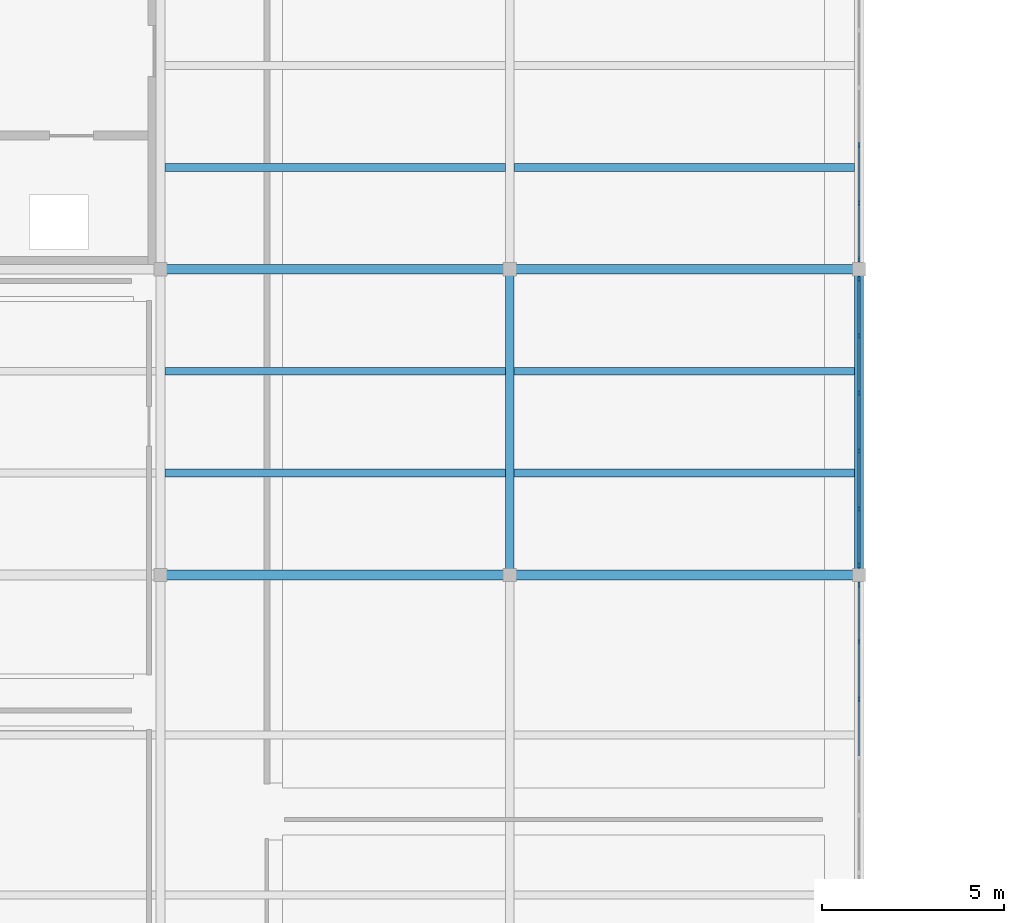
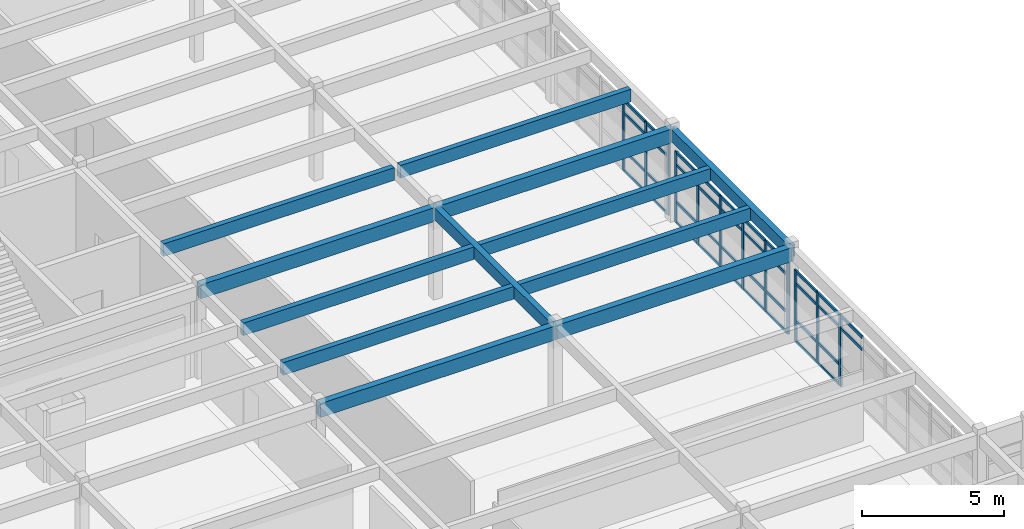
# One storey, part 12 of 61: 50 members, 12 beams, 3 elements without a shape of their own.
"""IFC4 building model written with IfcOpenShell, lengths in metres."""

from ifc_helpers import new_model, si_unit, direction, frame, origin, origin_2d, place, context, subcontext, project, spatial, rectangle, extrude, material, layer, layer_set, material_profile, profile_set, type_object, element, aggregate, save


model = new_model("IFC4")

# Units and contexts
model_context = context("Model", 3, precision=1e-05, world=origin(), true_north=direction((0.0, 1.0)))
body_context = subcontext(model_context, "Body", "Model", "MODEL_VIEW")
ifc_project = project(units=[si_unit("LENGTHUNIT", "METRE"), si_unit("AREAUNIT", "SQUARE_METRE"), si_unit("VOLUMEUNIT", "CUBIC_METRE"), si_unit("PLANEANGLEUNIT", "RADIAN"), si_unit("MASSUNIT", "GRAM", prefix="KILO")], contexts=[model_context])

# Site, building, storey
site_placement = place(None, origin())
site = spatial("IfcSite", under=ifc_project, at=site_placement, CompositionType="ELEMENT")
building_placement = place(site_placement, origin())
building = spatial("IfcBuilding", under=site, at=building_placement, Name="Kolvemor Railside Polytechnic", CompositionType="ELEMENT")
storey_placement = place(building_placement, frame((0.0, 0.0, 10.199951171875)))
storey = spatial("IfcBuildingStorey", under=building, at=storey_placement, Name="L02", CompositionType="ELEMENT", Elevation=10.199951171875)

# Beams
ifc_material_1 = material(Name="Glulam GL28h", Category="wood")
ifc_material_profile_1 = material_profile(ifc_material_1, rectangle(XDim=0.264892578125, YDim=0.60009765625, at=origin_2d()), Name="GL265x600")
ifc_profile_set_1 = profile_set([ifc_material_profile_1], Name="Glulam GL28h")
beam_type_1 = type_object("IfcBeamType", Name="BM-GL-GIRD7", PredefinedType="BEAM", material=ifc_profile_set_1)
beam_1_placement = place(storey_placement, frame((28.800048828125, 51.60009765625, 3.650146484375), z_axis=(1.0, 0.0, 0.0), x_axis=(0.0, 1.0, 0.0)))
element("IfcBeam", 1, at=beam_1_placement, inside=storey, type_object=beam_type_1, Name="Primary Girder L03-GX 1115", PredefinedType="BEAM", context=body_context, shape_type="SweptSolid", body=[
    extrude(rectangle(XDim=0.264892578125, YDim=0.60009765625, at=origin_2d()), origin(), (0.0, 0.0, 1.0), 9.599853515625),
])
beam_2_placement = place(storey_placement, frame((38.39990234375, 51.60009765625, 3.650146484375), z_axis=(1.0, 0.0, 0.0), x_axis=(0.0, 1.0, 0.0)))
element("IfcBeam", 2, at=beam_2_placement, inside=storey, type_object=beam_type_1, Name="Primary Girder L03-GX 1116", PredefinedType="BEAM", context=body_context, shape_type="SweptSolid", body=[
    extrude(rectangle(XDim=0.264892578125, YDim=0.60009765625, at=origin_2d()), origin(), (0.0, 0.0, 1.0), 9.60009765625),
])
beam_3_placement = place(storey_placement, frame((28.800048828125, 60.0, 3.650146484375), z_axis=(1.0, 0.0, 0.0), x_axis=(0.0, 1.0, 0.0)))
element("IfcBeam", 3, at=beam_3_placement, inside=storey, type_object=beam_type_1, Name="Primary Girder L03-GX 1119", PredefinedType="BEAM", context=body_context, shape_type="SweptSolid", body=[
    extrude(rectangle(XDim=0.264892578125, YDim=0.60009765625, at=origin_2d()), origin(), (0.0, 0.0, 1.0), 9.599853515625),
])
beam_4_placement = place(storey_placement, frame((38.39990234375, 60.0, 3.650146484375), z_axis=(1.0, 0.0, 0.0), x_axis=(0.0, 1.0, 0.0)))
element("IfcBeam", 4, at=beam_4_placement, inside=storey, type_object=beam_type_1, Name="Primary Girder L03-GX 1120", PredefinedType="BEAM", context=body_context, shape_type="SweptSolid", body=[
    extrude(rectangle(XDim=0.264892578125, YDim=0.60009765625, at=origin_2d()), origin(), (0.0, 0.0, 1.0), 9.60009765625),
])
ifc_material_2 = material(Name="Glulam GL28h", Category="wood")
ifc_material_profile_2 = material_profile(ifc_material_2, rectangle(XDim=0.239990234375, YDim=0.52001953125, at=origin_2d()), Name="GL240x520")
ifc_profile_set_2 = profile_set([ifc_material_profile_2], Name="Glulam GL28h")
beam_type_2 = type_object("IfcBeamType", Name="BM-GL-GIRD8", PredefinedType="BEAM", material=ifc_profile_set_2)
for number, where, z_axis, x_axis, name in (
    (5, (38.39990234375, 51.60009765625, 3.68994140625), (0.0, 1.0, 0.0), (-1.0, 0.0, 0.0), "Primary Girder L03-GY 1154"),
    (6, (48.0, 51.60009765625, 3.68994140625), (0.0, 1.0, 0.0), (-1.0, 0.0, 0.0), "Primary Girder L03-GY 1161"),
):
    element("IfcBeam", number, at=place(storey_placement, frame(where, z_axis=z_axis, x_axis=x_axis)), inside=storey, type_object=beam_type_2, Name=name, PredefinedType="BEAM", context=body_context, shape_type="SweptSolid", body=[
        extrude(rectangle(XDim=0.239990234375, YDim=0.52001953125, at=origin_2d()), origin(), (0.0, 0.0, 1.0), 8.39990234375),
    ])
ifc_material_3 = material(Name="Glulam GL28h", Category="wood")
ifc_material_profile_3 = material_profile(ifc_material_3, rectangle(XDim=0.215087890625, YDim=0.5400390625, at=origin_2d()), Name="GL215x540")
ifc_profile_set_3 = profile_set([ifc_material_profile_3], Name="Glulam GL28h")
beam_type_3 = type_object("IfcBeamType", Name="BM-GL-JST1", PredefinedType="JOIST", material=ifc_profile_set_3)
for number, where, z_axis, x_axis, name in (
    (7, (28.919921875, 54.39990234375, 3.679931640625), (1.0, 0.0, 0.0), (0.0, 1.0, 0.0), "Floor Joist L03-J1196"),
    (8, (28.919921875, 57.199951171875, 3.679931640625), (1.0, 0.0, 0.0), (0.0, 1.0, 0.0), "Floor Joist L03-J1197"),
    (9, (28.919921875, 62.800048828125, 3.679931640625), (1.0, 0.0, 0.0), (0.0, 1.0, 0.0), "Floor Joist L03-J1198"),
):
    element("IfcBeam", number, at=place(storey_placement, frame(where, z_axis=z_axis, x_axis=x_axis)), inside=storey, type_object=beam_type_3, Name=name, PredefinedType="JOIST", context=body_context, shape_type="SweptSolid", body=[
        extrude(rectangle(XDim=0.215087890625, YDim=0.5400390625, at=origin_2d()), origin(), (0.0, 0.0, 1.0), 9.360107421875),
    ])
for number, where, z_axis, x_axis, name in (
    (10, (38.52001953125, 54.39990234375, 3.679931640625), (1.0, 0.0, 0.0), (0.0, 1.0, 0.0), "Floor Joist L03-J1210"),
    (11, (38.52001953125, 57.199951171875, 3.679931640625), (1.0, 0.0, 0.0), (0.0, 1.0, 0.0), "Floor Joist L03-J1211"),
    (12, (38.52001953125, 62.800048828125, 3.679931640625), (1.0, 0.0, 0.0), (0.0, 1.0, 0.0), "Floor Joist L03-J1212"),
):
    element("IfcBeam", number, at=place(storey_placement, frame(where, z_axis=z_axis, x_axis=x_axis)), inside=storey, type_object=beam_type_3, Name=name, PredefinedType="JOIST", context=body_context, shape_type="SweptSolid", body=[
        extrude(rectangle(XDim=0.215087890625, YDim=0.5400390625, at=origin_2d()), origin(), (0.0, 0.0, 1.0), 9.35986328125),
    ])

# Curtain wall, members
ifc_material_4 = material(Name="Anodised marine aluminium and laminated low-E glass", Category="aluminium")
ifc_layer = layer(ifc_material_4, 0.179931640625, Name="CW-UNIT-STD")
ifc_layer_set = layer_set([ifc_layer], Name="Anodised marine aluminium and laminated low-E glass")
curtain_wall_type = type_object("IfcCurtainWallType", Name="CW-UNIT-STD", PredefinedType="USERDEFINED", material=ifc_layer_set)
curtain_wall_1_placement = place(storey_placement, origin())
curtain_wall_1 = element("IfcCurtainWall", 13, at=curtain_wall_1_placement, inside=storey, type_object=curtain_wall_type, Name="Curtain Wall L02-057", ObjectType="UNITISED CURTAIN WALL", PredefinedType="USERDEFINED")
ifc_material_5 = material(Name="Anodised marine aluminium 6063-T6", Category="aluminium")
ifc_material_profile_4 = material_profile(ifc_material_5, rectangle(XDim=0.06494140625, YDim=0.14990234375, at=origin_2d()), Name="CW-MUL-65x150")
ifc_profile_set_4 = profile_set([ifc_material_profile_4], Name="Anodised marine aluminium 6063-T6")
member_type_1 = type_object("IfcMemberType", Name="CWM-65x150", PredefinedType="MULLION", material=ifc_profile_set_4)
member_1_placement = place(storey_placement, frame((48.0, 48.179931640625, 0.0), z_axis=(0.0, 0.0, 1.0), x_axis=(-1.0, 0.0, 0.0)))
member_1 = element("IfcMember", 14, at=member_1_placement, type_object=member_type_1, Name="CW-STD mullion 7", PredefinedType="MULLION", context=body_context, shape_type="SweptSolid", body=[
    extrude(rectangle(XDim=0.06494140625, YDim=0.14990234375, at=origin_2d()), origin(), (0.0, 0.0, 1.0), 3.050048828125),
])
member_2_placement = place(storey_placement, frame((48.0, 49.77001953125, 0.0), z_axis=(0.0, 0.0, 1.0), x_axis=(-1.0, 0.0, 0.0)))
member_2 = element("IfcMember", 15, at=member_2_placement, type_object=member_type_1, Name="CW-STD mullion 8", PredefinedType="MULLION", context=body_context, shape_type="SweptSolid", body=[
    extrude(rectangle(XDim=0.06494140625, YDim=0.14990234375, at=origin_2d()), origin(), (0.0, 0.0, 1.0), 3.050048828125),
])
member_3_placement = place(storey_placement, frame((48.0, 51.327392578125, 0.0), z_axis=(0.0, 0.0, 1.0), x_axis=(-1.0, 0.0, 0.0)))
member_3 = element("IfcMember", 16, at=member_3_placement, type_object=member_type_1, Name="CW-STD mullion 9", PredefinedType="MULLION", context=body_context, shape_type="SweptSolid", body=[
    extrude(rectangle(XDim=0.06494140625, YDim=0.14990234375, at=origin_2d()), origin(), (0.0, 0.0, 1.0), 3.050048828125),
])

curtain_wall_2_placement = place(storey_placement, origin())
curtain_wall_2 = element("IfcCurtainWall", 17, at=curtain_wall_2_placement, inside=storey, type_object=curtain_wall_type, Name="Curtain Wall L02-067", ObjectType="UNITISED CURTAIN WALL", PredefinedType="USERDEFINED")
member_4_placement = place(storey_placement, frame((48.0, 51.87255859375, 0.0), z_axis=(0.0, 0.0, 1.0), x_axis=(-1.0, 0.0, 0.0)))
member_4 = element("IfcMember", 18, at=member_4_placement, type_object=member_type_1, Name="CW-STD mullion 1", PredefinedType="MULLION", context=body_context, shape_type="SweptSolid", body=[
    extrude(rectangle(XDim=0.06494140625, YDim=0.14990234375, at=origin_2d()), origin(), (0.0, 0.0, 1.0), 3.050048828125),
])
member_5_placement = place(storey_placement, frame((48.0, 53.424072265625, 0.0), z_axis=(0.0, 0.0, 1.0), x_axis=(-1.0, 0.0, 0.0)))
member_5 = element("IfcMember", 19, at=member_5_placement, type_object=member_type_1, Name="CW-STD mullion 2", PredefinedType="MULLION", context=body_context, shape_type="SweptSolid", body=[
    extrude(rectangle(XDim=0.06494140625, YDim=0.14990234375, at=origin_2d()), origin(), (0.0, 0.0, 1.0), 3.050048828125),
])
member_6_placement = place(storey_placement, frame((48.0, 55.008056640625, 0.0), z_axis=(0.0, 0.0, 1.0), x_axis=(-1.0, 0.0, 0.0)))
member_6 = element("IfcMember", 20, at=member_6_placement, type_object=member_type_1, Name="CW-STD mullion 3", PredefinedType="MULLION", context=body_context, shape_type="SweptSolid", body=[
    extrude(rectangle(XDim=0.06494140625, YDim=0.14990234375, at=origin_2d()), origin(), (0.0, 0.0, 1.0), 3.050048828125),
])
member_7_placement = place(storey_placement, frame((48.0, 56.592041015625, 0.0), z_axis=(0.0, 0.0, 1.0), x_axis=(-1.0, 0.0, 0.0)))
member_7 = element("IfcMember", 21, at=member_7_placement, type_object=member_type_1, Name="CW-STD mullion 4", PredefinedType="MULLION", context=body_context, shape_type="SweptSolid", body=[
    extrude(rectangle(XDim=0.06494140625, YDim=0.14990234375, at=origin_2d()), origin(), (0.0, 0.0, 1.0), 3.050048828125),
])
member_8_placement = place(storey_placement, frame((48.0, 58.176025390625, 0.0), z_axis=(0.0, 0.0, 1.0), x_axis=(-1.0, 0.0, 0.0)))
member_8 = element("IfcMember", 22, at=member_8_placement, type_object=member_type_1, Name="CW-STD mullion 5", PredefinedType="MULLION", context=body_context, shape_type="SweptSolid", body=[
    extrude(rectangle(XDim=0.06494140625, YDim=0.14990234375, at=origin_2d()), origin(), (0.0, 0.0, 1.0), 3.050048828125),
])
member_9_placement = place(storey_placement, frame((48.0, 59.7275390625, 0.0), z_axis=(0.0, 0.0, 1.0), x_axis=(-1.0, 0.0, 0.0)))
member_9 = element("IfcMember", 23, at=member_9_placement, type_object=member_type_1, Name="CW-STD mullion 6", PredefinedType="MULLION", context=body_context, shape_type="SweptSolid", body=[
    extrude(rectangle(XDim=0.06494140625, YDim=0.14990234375, at=origin_2d()), origin(), (0.0, 0.0, 1.0), 3.050048828125),
])

curtain_wall_3_placement = place(storey_placement, origin())
curtain_wall_3 = element("IfcCurtainWall", 24, at=curtain_wall_3_placement, inside=storey, type_object=curtain_wall_type, Name="Curtain Wall L02-077", ObjectType="UNITISED CURTAIN WALL", PredefinedType="USERDEFINED")
member_10_placement = place(storey_placement, frame((48.0, 60.2724609375, 0.0), z_axis=(0.0, 0.0, 1.0), x_axis=(-1.0, 0.0, 0.0)))
member_10 = element("IfcMember", 25, at=member_10_placement, type_object=member_type_1, Name="CW-STD mullion 1", PredefinedType="MULLION", context=body_context, shape_type="SweptSolid", body=[
    extrude(rectangle(XDim=0.06494140625, YDim=0.14990234375, at=origin_2d()), origin(), (0.0, 0.0, 1.0), 3.050048828125),
])
member_11_placement = place(storey_placement, frame((48.0, 61.823974609375, 0.0), z_axis=(0.0, 0.0, 1.0), x_axis=(-1.0, 0.0, 0.0)))
member_11 = element("IfcMember", 26, at=member_11_placement, type_object=member_type_1, Name="CW-STD mullion 2", PredefinedType="MULLION", context=body_context, shape_type="SweptSolid", body=[
    extrude(rectangle(XDim=0.06494140625, YDim=0.14990234375, at=origin_2d()), origin(), (0.0, 0.0, 1.0), 3.050048828125),
])
member_12_placement = place(storey_placement, frame((48.0, 63.407958984375, 0.0), z_axis=(0.0, 0.0, 1.0), x_axis=(-1.0, 0.0, 0.0)))
member_12 = element("IfcMember", 27, at=member_12_placement, type_object=member_type_1, Name="CW-STD mullion 3", PredefinedType="MULLION", context=body_context, shape_type="SweptSolid", body=[
    extrude(rectangle(XDim=0.06494140625, YDim=0.14990234375, at=origin_2d()), origin(), (0.0, 0.0, 1.0), 3.050048828125),
])

# Member
ifc_material_6 = material(Name="Anodised marine aluminium 6063-T6", Category="aluminium")
ifc_material_profile_5 = material_profile(ifc_material_6, rectangle(XDim=0.06494140625, YDim=0.1201171875, at=origin_2d()), Name="CW-TRN-65x120")
ifc_profile_set_5 = profile_set([ifc_material_profile_5], Name="Anodised marine aluminium 6063-T6")
member_type_2 = type_object("IfcMemberType", Name="CWT-65x120", PredefinedType="USERDEFINED", material=ifc_profile_set_5)
member_13_placement = place(storey_placement, frame((48.0, 46.62255859375, 2.5), z_axis=(0.0, 1.0, 0.0), x_axis=(-1.0, 0.0, 0.0)))
member_13 = element("IfcMember", 28, at=member_13_placement, type_object=member_type_2, Name="CW-STD transom 6.3", ObjectType="TRANSOM", PredefinedType="USERDEFINED", context=body_context, shape_type="SweptSolid", body=[
    extrude(rectangle(XDim=0.06494140625, YDim=0.1201171875, at=origin_2d()), origin(), (0.0, 0.0, 1.0), 1.52490234375),
])

member_14_placement = place(storey_placement, frame((48.0, 46.62255859375, 3.017578125), z_axis=(0.0, 1.0, 0.0), x_axis=(-1.0, 0.0, 0.0)))
member_14 = element("IfcMember", 29, at=member_14_placement, type_object=member_type_2, Name="CW-STD transom 6.4", ObjectType="TRANSOM", PredefinedType="USERDEFINED", context=body_context, shape_type="SweptSolid", body=[
    extrude(rectangle(XDim=0.06494140625, YDim=0.1201171875, at=origin_2d()), origin(), (0.0, 0.0, 1.0), 1.52490234375),
])

member_15_placement = place(storey_placement, frame((48.0, 48.21240234375, 0.032470703125), z_axis=(0.0, 1.0, 0.0), x_axis=(-1.0, 0.0, 0.0)))
member_15 = element("IfcMember", 30, at=member_15_placement, type_object=member_type_2, Name="CW-STD transom 7.1", ObjectType="TRANSOM", PredefinedType="USERDEFINED", context=body_context, shape_type="SweptSolid", body=[
    extrude(rectangle(XDim=0.06494140625, YDim=0.1201171875, at=origin_2d()), origin(), (0.0, 0.0, 1.0), 1.525146484375),
])

member_16_placement = place(storey_placement, frame((48.0, 48.21240234375, 0.900146484375), z_axis=(0.0, 1.0, 0.0), x_axis=(-1.0, 0.0, 0.0)))
member_16 = element("IfcMember", 31, at=member_16_placement, type_object=member_type_2, Name="CW-STD transom 7.2", ObjectType="TRANSOM", PredefinedType="USERDEFINED", context=body_context, shape_type="SweptSolid", body=[
    extrude(rectangle(XDim=0.06494140625, YDim=0.1201171875, at=origin_2d()), origin(), (0.0, 0.0, 1.0), 1.525146484375),
])

member_17_placement = place(storey_placement, frame((48.0, 48.21240234375, 2.5), z_axis=(0.0, 1.0, 0.0), x_axis=(-1.0, 0.0, 0.0)))
member_17 = element("IfcMember", 32, at=member_17_placement, type_object=member_type_2, Name="CW-STD transom 7.3", ObjectType="TRANSOM", PredefinedType="USERDEFINED", context=body_context, shape_type="SweptSolid", body=[
    extrude(rectangle(XDim=0.06494140625, YDim=0.1201171875, at=origin_2d()), origin(), (0.0, 0.0, 1.0), 1.525146484375),
])

member_18_placement = place(storey_placement, frame((48.0, 48.21240234375, 3.017578125), z_axis=(0.0, 1.0, 0.0), x_axis=(-1.0, 0.0, 0.0)))
member_18 = element("IfcMember", 33, at=member_18_placement, type_object=member_type_2, Name="CW-STD transom 7.4", ObjectType="TRANSOM", PredefinedType="USERDEFINED", context=body_context, shape_type="SweptSolid", body=[
    extrude(rectangle(XDim=0.06494140625, YDim=0.1201171875, at=origin_2d()), origin(), (0.0, 0.0, 1.0), 1.525146484375),
])

member_19_placement = place(storey_placement, frame((48.0, 49.802490234375, 0.032470703125), z_axis=(0.0, 1.0, 0.0), x_axis=(-1.0, 0.0, 0.0)))
member_19 = element("IfcMember", 34, at=member_19_placement, type_object=member_type_2, Name="CW-STD transom 8.1", ObjectType="TRANSOM", PredefinedType="USERDEFINED", context=body_context, shape_type="SweptSolid", body=[
    extrude(rectangle(XDim=0.06494140625, YDim=0.1201171875, at=origin_2d()), origin(), (0.0, 0.0, 1.0), 1.492431640625),
])

member_20_placement = place(storey_placement, frame((48.0, 49.802490234375, 0.900146484375), z_axis=(0.0, 1.0, 0.0), x_axis=(-1.0, 0.0, 0.0)))
member_20 = element("IfcMember", 35, at=member_20_placement, type_object=member_type_2, Name="CW-STD transom 8.2", ObjectType="TRANSOM", PredefinedType="USERDEFINED", context=body_context, shape_type="SweptSolid", body=[
    extrude(rectangle(XDim=0.06494140625, YDim=0.1201171875, at=origin_2d()), origin(), (0.0, 0.0, 1.0), 1.492431640625),
])

member_21_placement = place(storey_placement, frame((48.0, 49.802490234375, 2.5), z_axis=(0.0, 1.0, 0.0), x_axis=(-1.0, 0.0, 0.0)))
member_21 = element("IfcMember", 36, at=member_21_placement, type_object=member_type_2, Name="CW-STD transom 8.3", ObjectType="TRANSOM", PredefinedType="USERDEFINED", context=body_context, shape_type="SweptSolid", body=[
    extrude(rectangle(XDim=0.06494140625, YDim=0.1201171875, at=origin_2d()), origin(), (0.0, 0.0, 1.0), 1.492431640625),
])

member_22_placement = place(storey_placement, frame((48.0, 49.802490234375, 3.017578125), z_axis=(0.0, 1.0, 0.0), x_axis=(-1.0, 0.0, 0.0)))
member_22 = element("IfcMember", 37, at=member_22_placement, type_object=member_type_2, Name="CW-STD transom 8.4", ObjectType="TRANSOM", PredefinedType="USERDEFINED", context=body_context, shape_type="SweptSolid", body=[
    extrude(rectangle(XDim=0.06494140625, YDim=0.1201171875, at=origin_2d()), origin(), (0.0, 0.0, 1.0), 1.492431640625),
])

aggregate(curtain_wall_1, [member_1, member_2, member_3, member_13, member_14, member_15, member_16, member_17, member_18, member_19, member_20, member_21, member_22])

member_23_placement = place(storey_placement, frame((48.0, 51.905029296875, 0.032470703125), z_axis=(0.0, 1.0, 0.0), x_axis=(-1.0, 0.0, 0.0)))
member_23 = element("IfcMember", 38, at=member_23_placement, type_object=member_type_2, Name="CW-STD transom 1.1", ObjectType="TRANSOM", PredefinedType="USERDEFINED", context=body_context, shape_type="SweptSolid", body=[
    extrude(rectangle(XDim=0.06494140625, YDim=0.1201171875, at=origin_2d()), origin(), (0.0, 0.0, 1.0), 1.486572265625),
])

member_24_placement = place(storey_placement, frame((48.0, 51.905029296875, 0.900146484375), z_axis=(0.0, 1.0, 0.0), x_axis=(-1.0, 0.0, 0.0)))
member_24 = element("IfcMember", 39, at=member_24_placement, type_object=member_type_2, Name="CW-STD transom 1.2", ObjectType="TRANSOM", PredefinedType="USERDEFINED", context=body_context, shape_type="SweptSolid", body=[
    extrude(rectangle(XDim=0.06494140625, YDim=0.1201171875, at=origin_2d()), origin(), (0.0, 0.0, 1.0), 1.486572265625),
])

member_25_placement = place(storey_placement, frame((48.0, 51.905029296875, 2.5), z_axis=(0.0, 1.0, 0.0), x_axis=(-1.0, 0.0, 0.0)))
member_25 = element("IfcMember", 40, at=member_25_placement, type_object=member_type_2, Name="CW-STD transom 1.3", ObjectType="TRANSOM", PredefinedType="USERDEFINED", context=body_context, shape_type="SweptSolid", body=[
    extrude(rectangle(XDim=0.06494140625, YDim=0.1201171875, at=origin_2d()), origin(), (0.0, 0.0, 1.0), 1.486572265625),
])

member_26_placement = place(storey_placement, frame((48.0, 51.905029296875, 3.017578125), z_axis=(0.0, 1.0, 0.0), x_axis=(-1.0, 0.0, 0.0)))
member_26 = element("IfcMember", 41, at=member_26_placement, type_object=member_type_2, Name="CW-STD transom 1.4", ObjectType="TRANSOM", PredefinedType="USERDEFINED", context=body_context, shape_type="SweptSolid", body=[
    extrude(rectangle(XDim=0.06494140625, YDim=0.1201171875, at=origin_2d()), origin(), (0.0, 0.0, 1.0), 1.486572265625),
])

member_27_placement = place(storey_placement, frame((48.0, 53.45654296875, 0.032470703125), z_axis=(0.0, 1.0, 0.0), x_axis=(-1.0, 0.0, 0.0)))
member_27 = element("IfcMember", 42, at=member_27_placement, type_object=member_type_2, Name="CW-STD transom 2.1", ObjectType="TRANSOM", PredefinedType="USERDEFINED", context=body_context, shape_type="SweptSolid", body=[
    extrude(rectangle(XDim=0.06494140625, YDim=0.1201171875, at=origin_2d()), origin(), (0.0, 0.0, 1.0), 1.51904296875),
])

member_28_placement = place(storey_placement, frame((48.0, 53.45654296875, 0.900146484375), z_axis=(0.0, 1.0, 0.0), x_axis=(-1.0, 0.0, 0.0)))
member_28 = element("IfcMember", 43, at=member_28_placement, type_object=member_type_2, Name="CW-STD transom 2.2", ObjectType="TRANSOM", PredefinedType="USERDEFINED", context=body_context, shape_type="SweptSolid", body=[
    extrude(rectangle(XDim=0.06494140625, YDim=0.1201171875, at=origin_2d()), origin(), (0.0, 0.0, 1.0), 1.51904296875),
])

member_29_placement = place(storey_placement, frame((48.0, 53.45654296875, 2.5), z_axis=(0.0, 1.0, 0.0), x_axis=(-1.0, 0.0, 0.0)))
member_29 = element("IfcMember", 44, at=member_29_placement, type_object=member_type_2, Name="CW-STD transom 2.3", ObjectType="TRANSOM", PredefinedType="USERDEFINED", context=body_context, shape_type="SweptSolid", body=[
    extrude(rectangle(XDim=0.06494140625, YDim=0.1201171875, at=origin_2d()), origin(), (0.0, 0.0, 1.0), 1.51904296875),
])

member_30_placement = place(storey_placement, frame((48.0, 53.45654296875, 3.017578125), z_axis=(0.0, 1.0, 0.0), x_axis=(-1.0, 0.0, 0.0)))
member_30 = element("IfcMember", 45, at=member_30_placement, type_object=member_type_2, Name="CW-STD transom 2.4", ObjectType="TRANSOM", PredefinedType="USERDEFINED", context=body_context, shape_type="SweptSolid", body=[
    extrude(rectangle(XDim=0.06494140625, YDim=0.1201171875, at=origin_2d()), origin(), (0.0, 0.0, 1.0), 1.51904296875),
])

member_31_placement = place(storey_placement, frame((48.0, 55.04052734375, 0.032470703125), z_axis=(0.0, 1.0, 0.0), x_axis=(-1.0, 0.0, 0.0)))
member_31 = element("IfcMember", 46, at=member_31_placement, type_object=member_type_2, Name="CW-STD transom 3.1", ObjectType="TRANSOM", PredefinedType="USERDEFINED", context=body_context, shape_type="SweptSolid", body=[
    extrude(rectangle(XDim=0.06494140625, YDim=0.1201171875, at=origin_2d()), origin(), (0.0, 0.0, 1.0), 1.51904296875),
])

member_32_placement = place(storey_placement, frame((48.0, 55.04052734375, 0.900146484375), z_axis=(0.0, 1.0, 0.0), x_axis=(-1.0, 0.0, 0.0)))
member_32 = element("IfcMember", 47, at=member_32_placement, type_object=member_type_2, Name="CW-STD transom 3.2", ObjectType="TRANSOM", PredefinedType="USERDEFINED", context=body_context, shape_type="SweptSolid", body=[
    extrude(rectangle(XDim=0.06494140625, YDim=0.1201171875, at=origin_2d()), origin(), (0.0, 0.0, 1.0), 1.51904296875),
])

member_33_placement = place(storey_placement, frame((48.0, 55.04052734375, 2.5), z_axis=(0.0, 1.0, 0.0), x_axis=(-1.0, 0.0, 0.0)))
member_33 = element("IfcMember", 48, at=member_33_placement, type_object=member_type_2, Name="CW-STD transom 3.3", ObjectType="TRANSOM", PredefinedType="USERDEFINED", context=body_context, shape_type="SweptSolid", body=[
    extrude(rectangle(XDim=0.06494140625, YDim=0.1201171875, at=origin_2d()), origin(), (0.0, 0.0, 1.0), 1.51904296875),
])

member_34_placement = place(storey_placement, frame((48.0, 55.04052734375, 3.017578125), z_axis=(0.0, 1.0, 0.0), x_axis=(-1.0, 0.0, 0.0)))
member_34 = element("IfcMember", 49, at=member_34_placement, type_object=member_type_2, Name="CW-STD transom 3.4", ObjectType="TRANSOM", PredefinedType="USERDEFINED", context=body_context, shape_type="SweptSolid", body=[
    extrude(rectangle(XDim=0.06494140625, YDim=0.1201171875, at=origin_2d()), origin(), (0.0, 0.0, 1.0), 1.51904296875),
])

member_35_placement = place(storey_placement, frame((48.0, 56.62451171875, 0.032470703125), z_axis=(0.0, 1.0, 0.0), x_axis=(-1.0, 0.0, 0.0)))
member_35 = element("IfcMember", 50, at=member_35_placement, type_object=member_type_2, Name="CW-STD transom 4.1", ObjectType="TRANSOM", PredefinedType="USERDEFINED", context=body_context, shape_type="SweptSolid", body=[
    extrude(rectangle(XDim=0.06494140625, YDim=0.1201171875, at=origin_2d()), origin(), (0.0, 0.0, 1.0), 1.51904296875),
])

member_36_placement = place(storey_placement, frame((48.0, 56.62451171875, 0.900146484375), z_axis=(0.0, 1.0, 0.0), x_axis=(-1.0, 0.0, 0.0)))
member_36 = element("IfcMember", 51, at=member_36_placement, type_object=member_type_2, Name="CW-STD transom 4.2", ObjectType="TRANSOM", PredefinedType="USERDEFINED", context=body_context, shape_type="SweptSolid", body=[
    extrude(rectangle(XDim=0.06494140625, YDim=0.1201171875, at=origin_2d()), origin(), (0.0, 0.0, 1.0), 1.51904296875),
])

member_37_placement = place(storey_placement, frame((48.0, 56.62451171875, 2.5), z_axis=(0.0, 1.0, 0.0), x_axis=(-1.0, 0.0, 0.0)))
member_37 = element("IfcMember", 52, at=member_37_placement, type_object=member_type_2, Name="CW-STD transom 4.3", ObjectType="TRANSOM", PredefinedType="USERDEFINED", context=body_context, shape_type="SweptSolid", body=[
    extrude(rectangle(XDim=0.06494140625, YDim=0.1201171875, at=origin_2d()), origin(), (0.0, 0.0, 1.0), 1.51904296875),
])

member_38_placement = place(storey_placement, frame((48.0, 56.62451171875, 3.017578125), z_axis=(0.0, 1.0, 0.0), x_axis=(-1.0, 0.0, 0.0)))
member_38 = element("IfcMember", 53, at=member_38_placement, type_object=member_type_2, Name="CW-STD transom 4.4", ObjectType="TRANSOM", PredefinedType="USERDEFINED", context=body_context, shape_type="SweptSolid", body=[
    extrude(rectangle(XDim=0.06494140625, YDim=0.1201171875, at=origin_2d()), origin(), (0.0, 0.0, 1.0), 1.51904296875),
])

member_39_placement = place(storey_placement, frame((48.0, 58.20849609375, 0.032470703125), z_axis=(0.0, 1.0, 0.0), x_axis=(-1.0, 0.0, 0.0)))
member_39 = element("IfcMember", 54, at=member_39_placement, type_object=member_type_2, Name="CW-STD transom 5.1", ObjectType="TRANSOM", PredefinedType="USERDEFINED", context=body_context, shape_type="SweptSolid", body=[
    extrude(rectangle(XDim=0.06494140625, YDim=0.1201171875, at=origin_2d()), origin(), (0.0, 0.0, 1.0), 1.486572265625),
])

member_40_placement = place(storey_placement, frame((48.0, 58.20849609375, 0.900146484375), z_axis=(0.0, 1.0, 0.0), x_axis=(-1.0, 0.0, 0.0)))
member_40 = element("IfcMember", 55, at=member_40_placement, type_object=member_type_2, Name="CW-STD transom 5.2", ObjectType="TRANSOM", PredefinedType="USERDEFINED", context=body_context, shape_type="SweptSolid", body=[
    extrude(rectangle(XDim=0.06494140625, YDim=0.1201171875, at=origin_2d()), origin(), (0.0, 0.0, 1.0), 1.486572265625),
])

member_41_placement = place(storey_placement, frame((48.0, 58.20849609375, 2.5), z_axis=(0.0, 1.0, 0.0), x_axis=(-1.0, 0.0, 0.0)))
member_41 = element("IfcMember", 56, at=member_41_placement, type_object=member_type_2, Name="CW-STD transom 5.3", ObjectType="TRANSOM", PredefinedType="USERDEFINED", context=body_context, shape_type="SweptSolid", body=[
    extrude(rectangle(XDim=0.06494140625, YDim=0.1201171875, at=origin_2d()), origin(), (0.0, 0.0, 1.0), 1.486572265625),
])

member_42_placement = place(storey_placement, frame((48.0, 58.20849609375, 3.017578125), z_axis=(0.0, 1.0, 0.0), x_axis=(-1.0, 0.0, 0.0)))
member_42 = element("IfcMember", 57, at=member_42_placement, type_object=member_type_2, Name="CW-STD transom 5.4", ObjectType="TRANSOM", PredefinedType="USERDEFINED", context=body_context, shape_type="SweptSolid", body=[
    extrude(rectangle(XDim=0.06494140625, YDim=0.1201171875, at=origin_2d()), origin(), (0.0, 0.0, 1.0), 1.486572265625),
])

aggregate(curtain_wall_2, [member_4, member_5, member_6, member_7, member_8, member_9, member_23, member_24, member_25, member_26, member_27, member_28, member_29, member_30, member_31, member_32, member_33, member_34, member_35, member_36, member_37, member_38, member_39, member_40, member_41, member_42])

member_43_placement = place(storey_placement, frame((48.0, 60.304931640625, 0.032470703125), z_axis=(0.0, 1.0, 0.0), x_axis=(-1.0, 0.0, 0.0)))
member_43 = element("IfcMember", 58, at=member_43_placement, type_object=member_type_2, Name="CW-STD transom 1.1", ObjectType="TRANSOM", PredefinedType="USERDEFINED", context=body_context, shape_type="SweptSolid", body=[
    extrude(rectangle(XDim=0.06494140625, YDim=0.1201171875, at=origin_2d()), origin(), (0.0, 0.0, 1.0), 1.486572265625),
])

member_44_placement = place(storey_placement, frame((48.0, 60.304931640625, 0.900146484375), z_axis=(0.0, 1.0, 0.0), x_axis=(-1.0, 0.0, 0.0)))
member_44 = element("IfcMember", 59, at=member_44_placement, type_object=member_type_2, Name="CW-STD transom 1.2", ObjectType="TRANSOM", PredefinedType="USERDEFINED", context=body_context, shape_type="SweptSolid", body=[
    extrude(rectangle(XDim=0.06494140625, YDim=0.1201171875, at=origin_2d()), origin(), (0.0, 0.0, 1.0), 1.486572265625),
])

member_45_placement = place(storey_placement, frame((48.0, 60.304931640625, 2.5), z_axis=(0.0, 1.0, 0.0), x_axis=(-1.0, 0.0, 0.0)))
member_45 = element("IfcMember", 60, at=member_45_placement, type_object=member_type_2, Name="CW-STD transom 1.3", ObjectType="TRANSOM", PredefinedType="USERDEFINED", context=body_context, shape_type="SweptSolid", body=[
    extrude(rectangle(XDim=0.06494140625, YDim=0.1201171875, at=origin_2d()), origin(), (0.0, 0.0, 1.0), 1.486572265625),
])

member_46_placement = place(storey_placement, frame((48.0, 60.304931640625, 3.017578125), z_axis=(0.0, 1.0, 0.0), x_axis=(-1.0, 0.0, 0.0)))
member_46 = element("IfcMember", 61, at=member_46_placement, type_object=member_type_2, Name="CW-STD transom 1.4", ObjectType="TRANSOM", PredefinedType="USERDEFINED", context=body_context, shape_type="SweptSolid", body=[
    extrude(rectangle(XDim=0.06494140625, YDim=0.1201171875, at=origin_2d()), origin(), (0.0, 0.0, 1.0), 1.486572265625),
])

member_47_placement = place(storey_placement, frame((48.0, 61.8564453125, 0.032470703125), z_axis=(0.0, 1.0, 0.0), x_axis=(-1.0, 0.0, 0.0)))
member_47 = element("IfcMember", 62, at=member_47_placement, type_object=member_type_2, Name="CW-STD transom 2.1", ObjectType="TRANSOM", PredefinedType="USERDEFINED", context=body_context, shape_type="SweptSolid", body=[
    extrude(rectangle(XDim=0.06494140625, YDim=0.1201171875, at=origin_2d()), origin(), (0.0, 0.0, 1.0), 1.51904296875),
])

member_48_placement = place(storey_placement, frame((48.0, 61.8564453125, 0.900146484375), z_axis=(0.0, 1.0, 0.0), x_axis=(-1.0, 0.0, 0.0)))
member_48 = element("IfcMember", 63, at=member_48_placement, type_object=member_type_2, Name="CW-STD transom 2.2", ObjectType="TRANSOM", PredefinedType="USERDEFINED", context=body_context, shape_type="SweptSolid", body=[
    extrude(rectangle(XDim=0.06494140625, YDim=0.1201171875, at=origin_2d()), origin(), (0.0, 0.0, 1.0), 1.51904296875),
])

member_49_placement = place(storey_placement, frame((48.0, 61.8564453125, 2.5), z_axis=(0.0, 1.0, 0.0), x_axis=(-1.0, 0.0, 0.0)))
member_49 = element("IfcMember", 64, at=member_49_placement, type_object=member_type_2, Name="CW-STD transom 2.3", ObjectType="TRANSOM", PredefinedType="USERDEFINED", context=body_context, shape_type="SweptSolid", body=[
    extrude(rectangle(XDim=0.06494140625, YDim=0.1201171875, at=origin_2d()), origin(), (0.0, 0.0, 1.0), 1.51904296875),
])

member_50_placement = place(storey_placement, frame((48.0, 61.8564453125, 3.017578125), z_axis=(0.0, 1.0, 0.0), x_axis=(-1.0, 0.0, 0.0)))
member_50 = element("IfcMember", 65, at=member_50_placement, type_object=member_type_2, Name="CW-STD transom 2.4", ObjectType="TRANSOM", PredefinedType="USERDEFINED", context=body_context, shape_type="SweptSolid", body=[
    extrude(rectangle(XDim=0.06494140625, YDim=0.1201171875, at=origin_2d()), origin(), (0.0, 0.0, 1.0), 1.51904296875),
])

aggregate(curtain_wall_3, [member_10, member_11, member_12, member_43, member_44, member_45, member_46, member_47, member_48, member_49, member_50])

save(model, "model.ifc")
